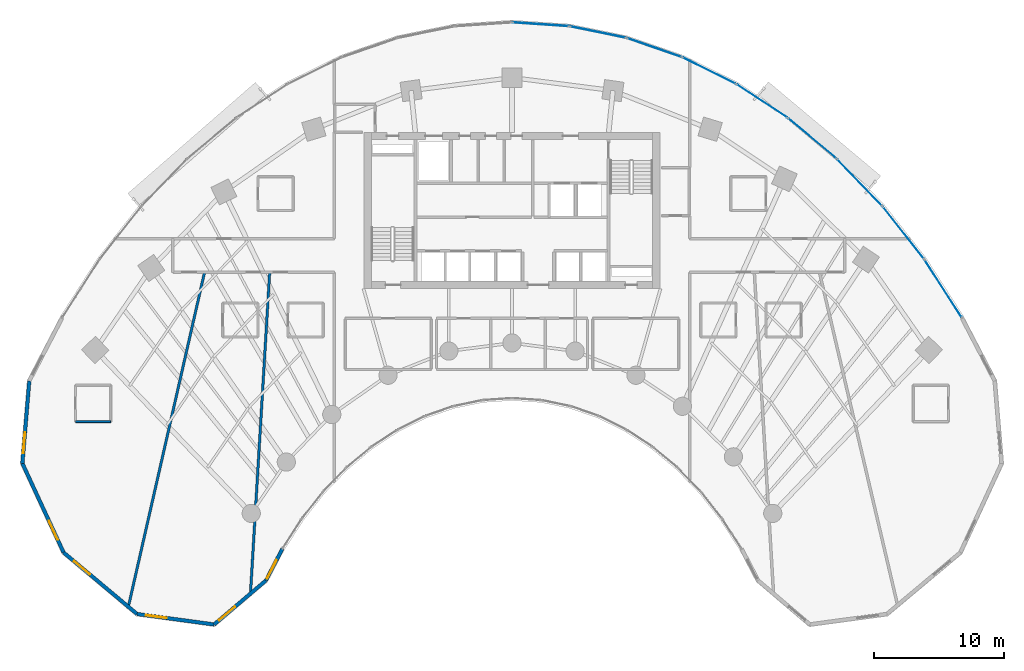
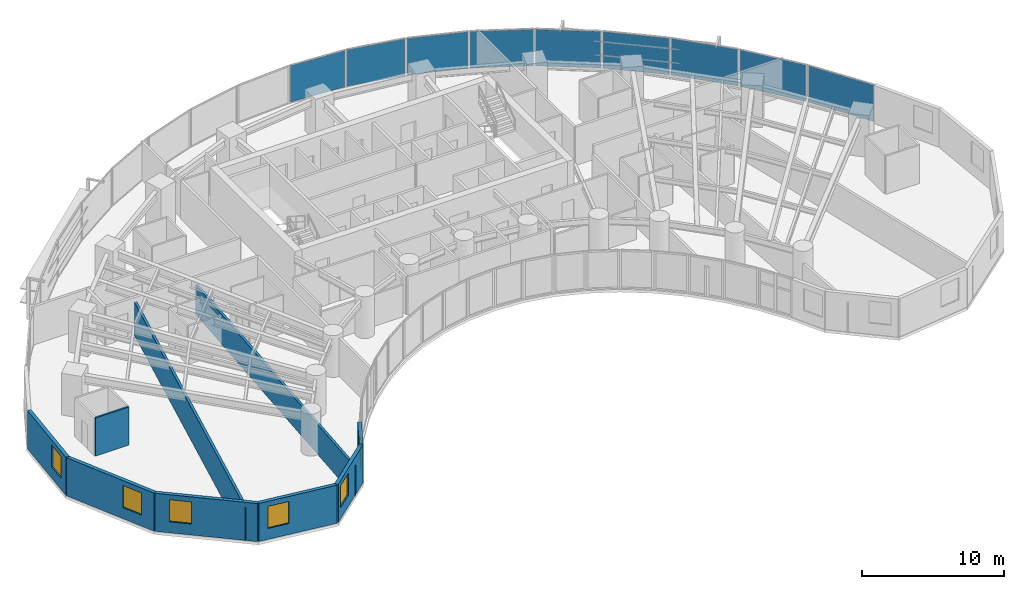
# One storey, part 10 of 17: 9 plates, 9 walls, 6 windows, 6 openings, 9 elements without a shape of their own.
"""IFC4 building model written with IfcOpenShell, lengths in metres."""

from ifc_helpers import new_model, si_unit, direction, frame, frame_2d, origin, origin_2d, place, context, subcontext, project, spatial, rectangle, extrude, source, transform, mapped, material, layer, layer_set, type_object, type_shapes, element, fill, aggregate, save


model = new_model("IFC4")

# Units and contexts
model_context = context("Model", 3, precision=1e-05, world=origin(), true_north=direction((0.0, 1.0)))
body_context = subcontext(model_context, "Body", "Model", "MODEL_VIEW")
ifc_project = project(units=[si_unit("LENGTHUNIT", "METRE"), si_unit("AREAUNIT", "SQUARE_METRE"), si_unit("VOLUMEUNIT", "CUBIC_METRE"), si_unit("PLANEANGLEUNIT", "RADIAN"), si_unit("MASSUNIT", "GRAM", prefix="KILO")], contexts=[model_context])

# Site, building, storey
site_placement = place(None, origin())
site = spatial("IfcSite", under=ifc_project, at=site_placement, CompositionType="ELEMENT")
building_placement = place(site_placement, origin())
building = spatial("IfcBuilding", under=site, at=building_placement, Name="Breltana Convention Tower", CompositionType="ELEMENT")
storey_placement = place(building_placement, frame((0.0, 0.0, 82.199951171875)))
storey = spatial("IfcBuildingStorey", under=building, at=storey_placement, Name="L19", CompositionType="ELEMENT", Elevation=82.199951171875)

# Curtain wall, plate
ifc_material_1 = material(Name="Aluminium Anodised Bronze Frame", Category="aluminium")
ifc_layer_1 = layer(ifc_material_1, 0.199951171875, Name="Aluminium Anodised Bronze Frame")
ifc_layer_set_1 = layer_set([ifc_layer_1], Name="Aluminium Anodised Bronze Frame")
curtain_wall_type = type_object("IfcCurtainWallType", Name="CW-SYS-2", PredefinedType="NOTDEFINED", material=ifc_layer_set_1)
curtain_wall_1_placement = place(storey_placement, origin())
curtain_wall_1 = element("IfcCurtainWall", 1, at=curtain_wall_1_placement, inside=storey, type_object=curtain_wall_type, Name="L19 outer double-skin inner glazing 17", PredefinedType="NOTDEFINED")
ifc_material_2 = material(Name="Glass Low-E Double Glazing", Category="glass")
ifc_layer_2 = layer(ifc_material_2, 0.031982421875, Name="Glass Low-E Double Glazing")
ifc_layer_set_2 = layer_set([ifc_layer_2], Name="Glass Low-E Double Glazing")
plate_type = type_object("IfcPlateType", Name="CWP-IGU-32", PredefinedType="CURTAIN_PANEL", material=ifc_layer_set_2)
shared_shape_1 = source(origin(), body_context, "Body", "SweptSolid", [
    extrude(rectangle(XDim=5.0546875, YDim=0.031982421875, at=origin_2d()), origin(), (0.0, 0.0, 1.0), 3.139892578125),
])
plate_1_placement = place(storey_placement, frame((78.038818359375, 64.504638671875, 0.0703125), z_axis=(0.0, 0.0, 1.0), x_axis=(0.618153917633, -0.786057080698, 0.0)))
plate_1 = element("IfcPlate", 2, at=plate_1_placement, type_object=plate_type, Name="CW-02 panel 1.1", PredefinedType="CURTAIN_PANEL", context=body_context, shape_type="MappedRepresentation", body=[
    mapped(shared_shape_1, transform((0.0, 0.0, 0.0), scale=1.0)),
])
aggregate(curtain_wall_1, [plate_1])

curtain_wall_2_placement = place(storey_placement, origin())
curtain_wall_2 = element("IfcCurtainWall", 3, at=curtain_wall_2_placement, inside=storey, type_object=curtain_wall_type, Name="L19 outer double-skin inner glazing 16", PredefinedType="NOTDEFINED")
shared_shape_2 = source(origin(), body_context, "Body", "SweptSolid", [
    extrude(rectangle(XDim=4.901123046875, YDim=0.031982421875, at=origin_2d()), origin(), (0.0, 0.0, 1.0), 3.139892578125),
])
plate_2_placement = place(storey_placement, frame((74.682373046875, 68.359619140625, 0.0703125), z_axis=(0.0, 0.0, 1.0), x_axis=(0.694610090106, -0.719386421003, 0.0)))
plate_2 = element("IfcPlate", 4, at=plate_2_placement, type_object=plate_type, Name="CW-02 panel 1.1", PredefinedType="CURTAIN_PANEL", context=body_context, shape_type="MappedRepresentation", body=[
    mapped(shared_shape_2, transform((0.0, 0.0, 0.0), scale=1.0)),
])
aggregate(curtain_wall_2, [plate_2])

curtain_wall_3_placement = place(storey_placement, origin())
curtain_wall_3 = element("IfcCurtainWall", 5, at=curtain_wall_3_placement, inside=storey, type_object=curtain_wall_type, Name="L19 outer double-skin inner glazing 15", PredefinedType="NOTDEFINED")
shared_shape_3 = source(origin(), body_context, "Body", "SweptSolid", [
    extrude(rectangle(XDim=4.7509765625, YDim=0.031982421875, at=origin_2d()), origin(), (0.0, 0.0, 1.0), 3.139892578125),
])
plate_3_placement = place(storey_placement, frame((71.0537109375, 71.7392578125, 0.0703125), z_axis=(0.0, 0.0, 1.0), x_axis=(0.767941326958, -0.640520193554, 0.0)))
plate_3 = element("IfcPlate", 6, at=plate_3_placement, type_object=plate_type, Name="CW-02 panel 1.1", PredefinedType="CURTAIN_PANEL", context=body_context, shape_type="MappedRepresentation", body=[
    mapped(shared_shape_3, transform((0.0, 0.0, 0.0), scale=1.0)),
])
aggregate(curtain_wall_3, [plate_3])

curtain_wall_4_placement = place(storey_placement, origin())
curtain_wall_4 = element("IfcCurtainWall", 7, at=curtain_wall_4_placement, inside=storey, type_object=curtain_wall_type, Name="L19 outer double-skin inner glazing 14", PredefinedType="NOTDEFINED")
shared_shape_4 = source(origin(), body_context, "Body", "SweptSolid", [
    extrude(rectangle(XDim=4.610595703125, YDim=0.031982421875, at=origin_2d()), origin(), (0.0, 0.0, 1.0), 3.139892578125),
])
plate_4_placement = place(storey_placement, frame((67.18994140625, 74.609130859375, 0.0703125), z_axis=(0.0, 0.0, 1.0), x_axis=(0.83596401875, -0.548784255746, 0.0)))
plate_4 = element("IfcPlate", 8, at=plate_4_placement, type_object=plate_type, Name="CW-02 panel 1.1", PredefinedType="CURTAIN_PANEL", context=body_context, shape_type="MappedRepresentation", body=[
    mapped(shared_shape_4, transform((0.0, 0.0, 0.0), scale=1.0)),
])
aggregate(curtain_wall_4, [plate_4])

curtain_wall_5_placement = place(storey_placement, origin())
curtain_wall_5 = element("IfcCurtainWall", 9, at=curtain_wall_5_placement, inside=storey, type_object=curtain_wall_type, Name="L19 outer double-skin inner glazing 13", PredefinedType="NOTDEFINED")
shared_shape_5 = source(origin(), body_context, "Body", "SweptSolid", [
    extrude(rectangle(XDim=4.487548828125, YDim=0.031982421875, at=origin_2d()), origin(), (0.0, 0.0, 1.0), 3.139892578125),
])
plate_5_placement = place(storey_placement, frame((63.13134765625, 76.940185546875, 0.0703125), z_axis=(0.0, 0.0, 1.0), x_axis=(0.895973407804, -0.444107703726, 0.0)))
plate_5 = element("IfcPlate", 10, at=plate_5_placement, type_object=plate_type, Name="CW-02 panel 1.1", PredefinedType="CURTAIN_PANEL", context=body_context, shape_type="MappedRepresentation", body=[
    mapped(shared_shape_5, transform((0.0, 0.0, 0.0), scale=1.0)),
])
aggregate(curtain_wall_5, [plate_5])

curtain_wall_6_placement = place(storey_placement, origin())
curtain_wall_6 = element("IfcCurtainWall", 11, at=curtain_wall_6_placement, inside=storey, type_object=curtain_wall_type, Name="L19 outer double-skin inner glazing 12", PredefinedType="NOTDEFINED")
shared_shape_6 = source(origin(), body_context, "Body", "SweptSolid", [
    extrude(rectangle(XDim=4.388427734375, YDim=0.031982421875, at=origin_2d()), origin(), (0.0, 0.0, 1.0), 3.139892578125),
])
plate_6_placement = place(storey_placement, frame((58.9189453125, 78.709228515625, 0.0703125), z_axis=(0.0, 0.0, 1.0), x_axis=(0.944876012163, -0.32742834581, 0.0)))
plate_6 = element("IfcPlate", 12, at=plate_6_placement, type_object=plate_type, Name="CW-02 panel 1.1", PredefinedType="CURTAIN_PANEL", context=body_context, shape_type="MappedRepresentation", body=[
    mapped(shared_shape_6, transform((0.0, 0.0, 0.0), scale=1.0)),
])
aggregate(curtain_wall_6, [plate_6])

curtain_wall_7_placement = place(storey_placement, origin())
curtain_wall_7 = element("IfcCurtainWall", 13, at=curtain_wall_7_placement, inside=storey, type_object=curtain_wall_type, Name="L19 outer double-skin inner glazing 11", PredefinedType="NOTDEFINED")
shared_shape_7 = source(origin(), body_context, "Body", "SweptSolid", [
    extrude(rectangle(XDim=4.318359375, YDim=0.031982421875, at=origin_2d()), origin(), (0.0, 0.0, 1.0), 3.139892578125),
])
plate_7_placement = place(storey_placement, frame((54.595703125, 79.898193359375, 0.0703125), z_axis=(0.0, 0.0, 1.0), x_axis=(0.979614925743, -0.200884537139, 0.0)))
plate_7 = element("IfcPlate", 14, at=plate_7_placement, type_object=plate_type, Name="CW-02 panel 1.1", PredefinedType="CURTAIN_PANEL", context=body_context, shape_type="MappedRepresentation", body=[
    mapped(shared_shape_7, transform((0.0, 0.0, 0.0), scale=1.0)),
])
aggregate(curtain_wall_7, [plate_7])

curtain_wall_8_placement = place(storey_placement, origin())
curtain_wall_8 = element("IfcCurtainWall", 15, at=curtain_wall_8_placement, inside=storey, type_object=curtain_wall_type, Name="L19 outer double-skin inner glazing 10", PredefinedType="NOTDEFINED")
shared_shape_8 = source(origin(), body_context, "Body", "SweptSolid", [
    extrude(rectangle(XDim=4.2822265625, YDim=0.031982421875, at=origin_2d()), origin(), (0.0, 0.0, 1.0), 3.139892578125),
])
plate_8_placement = place(storey_placement, frame((50.2060546875, 80.495849609375, 0.0703125), z_axis=(0.0, 0.0, 1.0), x_axis=(0.997703982282, -0.067725650529, 0.0)))
plate_8 = element("IfcPlate", 16, at=plate_8_placement, type_object=plate_type, Name="CW-02 panel 1.1", PredefinedType="CURTAIN_PANEL", context=body_context, shape_type="MappedRepresentation", body=[
    mapped(shared_shape_8, transform((0.0, 0.0, 0.0), scale=1.0)),
])
aggregate(curtain_wall_8, [plate_8])

curtain_wall_9_placement = place(storey_placement, origin())
curtain_wall_9 = element("IfcCurtainWall", 17, at=curtain_wall_9_placement, inside=storey, type_object=curtain_wall_type, Name="L19 outer double-skin inner glazing 18", PredefinedType="NOTDEFINED")
shared_shape_9 = source(origin(), body_context, "Body", "SweptSolid", [
    extrude(rectangle(XDim=5.20556640625, YDim=0.031982421875, at=origin_2d()), origin(), (0.0, 0.0, 1.0), 3.139892578125),
])
plate_9_placement = place(storey_placement, frame((81.088134765625, 60.2138671875, 0.0703125), z_axis=(0.0, 0.0, 1.0), x_axis=(0.540180724109, -0.841549039154, 0.0)))
plate_9 = element("IfcPlate", 18, at=plate_9_placement, type_object=plate_type, Name="CW-02 panel 1.1", PredefinedType="CURTAIN_PANEL", context=body_context, shape_type="MappedRepresentation", body=[
    mapped(shared_shape_9, transform((0.0, 0.0, 0.0), scale=1.0)),
])
aggregate(curtain_wall_9, [plate_9])

# Wall, opening, window
ifc_material_3 = material(Name="Limestone Buff Insulated Wall", Category="masonry")
ifc_layer_3 = layer(ifc_material_3, 0.280029296875, Name="Limestone Buff Insulated Wall")
ifc_layer_set_3 = layer_set([ifc_layer_3], Name="Limestone Buff Insulated Wall")
wall_type_1 = type_object("IfcWallType", Name="WL-EXT-NOSE-280", PredefinedType="SOLIDWALL", material=ifc_layer_set_3)
shared_shape_10 = source(origin(), body_context, "Body", "SweptSolid", [
    extrude(rectangle(XDim=6.3525390625, YDim=0.280029296875, at=frame_2d((3.17626953125, 0.0))), origin(), (0.0, 0.0, 1.0), 3.280029296875),
])
wall_1_placement = place(storey_placement, frame((10.417724609375, 46.79150390625, 0.0), z_axis=(0.0, 0.0, 1.0), x_axis=(0.083319001377, 0.996522926986, 0.0)))
wall_1 = element("IfcWall", 19, at=wall_1_placement, inside=storey, type_object=wall_type_1, Name="L19 curved limestone nose wall W6", PredefinedType="SOLIDWALL", context=body_context, shape_type="MappedRepresentation", body=[
    mapped(shared_shape_10, transform((0.0, 0.0, 0.0), scale=1.0)),
])
opening_1_placement = place(wall_1_placement, frame((0.7880859375, 0.0, 0.949951171875)))
opening_1 = element("IfcOpeningElement", 20, at=opening_1_placement, cuts=wall_1, Name="Opening W-04", PredefinedType="OPENING", context=body_context, shape_type="SweptSolid", body=[
    extrude(rectangle(XDim=1.60009765625, YDim=1.89990234375, at=frame_2d((0.800048828125, 0.949951171875))), frame((0.0, 0.14990234375, 0.0), z_axis=(0.0, -1.0, 0.0), x_axis=(1.0, 0.0, 0.0)), (0.0, 0.0, 1.0), 0.300048828125),
])
ifc_material_4 = material(Name="Glass Low-E Insulated Window", Category="glass")
window_type = type_object("IfcWindowType", Name="WN-NOSE-1600X1900", PartitioningType="SINGLE_PANEL", PredefinedType="WINDOW", material=ifc_material_4)
shared_shape_11 = source(origin(), body_context, "Body", "SweptSolid", [
    extrude(rectangle(XDim=1.60009765625, YDim=1.89990234375, at=frame_2d((0.800048828125, 0.949951171875))), frame((0.0, 0.030029296875, 0.0), z_axis=(0.0, -1.0, 0.0), x_axis=(1.0, 0.0, 0.0)), (0.0, 0.0, 1.0), 0.06005859375),
])
type_shapes(window_type, [shared_shape_11])
window_1_placement = place(opening_1_placement, origin())
window_1 = element("IfcWindow", 21, at=window_1_placement, inside=storey, type_object=window_type, Name="L19 nose window W6", OverallHeight=1.89990234375, OverallWidth=1.60009765625, PartitioningType="SINGLE_PANEL", PredefinedType="WINDOW", context=body_context, shape_type="MappedRepresentation", body=[
    mapped(shared_shape_11, transform((0.0, 0.0, 0.0), scale=1.0)),
])
fill(opening_1, window_1)

shared_shape_12 = source(origin(), body_context, "Body", "SweptSolid", [
    extrude(rectangle(XDim=7.536376953125, YDim=0.280029296875, at=frame_2d((3.76806640625, 0.0))), origin(), (0.0, 0.0, 1.0), 3.280029296875),
])
wall_2_placement = place(storey_placement, frame((13.580322265625, 39.950927734375, 0.0), z_axis=(0.0, 0.0, 1.0), x_axis=(-0.41964973873, 0.907686122393, 0.0)))
wall_2 = element("IfcWall", 22, at=wall_2_placement, inside=storey, type_object=wall_type_1, Name="L19 curved limestone nose wall W5", PredefinedType="SOLIDWALL", context=body_context, shape_type="MappedRepresentation", body=[
    mapped(shared_shape_12, transform((0.0, 0.0, 0.0), scale=1.0)),
])
opening_2_placement = place(wall_2_placement, frame((1.083984375, 0.0, 0.949951171875)))
opening_2 = element("IfcOpeningElement", 23, at=opening_2_placement, cuts=wall_2, Name="Opening W-04", PredefinedType="OPENING", context=body_context, shape_type="SweptSolid", body=[
    extrude(rectangle(XDim=1.60009765625, YDim=1.89990234375, at=frame_2d((0.800048828125, 0.949951171875))), frame((0.0, 0.14990234375, 0.0), z_axis=(0.0, -1.0, 0.0), x_axis=(1.0, 0.0, 0.0)), (0.0, 0.0, 1.0), 0.300048828125),
])
window_2_placement = place(opening_2_placement, origin())
window_2 = element("IfcWindow", 24, at=window_2_placement, inside=storey, type_object=window_type, Name="L19 nose window W5", OverallHeight=1.89990234375, OverallWidth=1.60009765625, PartitioningType="SINGLE_PANEL", PredefinedType="WINDOW", context=body_context, shape_type="MappedRepresentation", body=[
    mapped(shared_shape_11, transform((0.0, 0.0, 0.0), scale=1.0)),
])
fill(opening_2, window_2)

shared_shape_13 = source(origin(), body_context, "Body", "SweptSolid", [
    extrude(rectangle(XDim=7.35888671875, YDim=0.280029296875, at=frame_2d((3.679443359375, 0.0))), origin(), (0.0, 0.0, 1.0), 3.280029296875),
])
wall_3_placement = place(storey_placement, frame((19.22265625, 35.226806640625, 0.0), z_axis=(0.0, 0.0, 1.0), x_axis=(-0.766737165543, 0.641961150675, 0.0)))
wall_3 = element("IfcWall", 25, at=wall_3_placement, inside=storey, type_object=wall_type_1, Name="L19 curved limestone nose wall W4", PredefinedType="SOLIDWALL", context=body_context, shape_type="MappedRepresentation", body=[
    mapped(shared_shape_13, transform((0.0, 0.0, 0.0), scale=1.0)),
])
opening_3_placement = place(wall_3_placement, frame((4.71923828125, 0.0, 0.949951171875)))
opening_3 = element("IfcOpeningElement", 26, at=opening_3_placement, cuts=wall_3, Name="Opening W-04", PredefinedType="OPENING", context=body_context, shape_type="SweptSolid", body=[
    extrude(rectangle(XDim=1.60009765625, YDim=1.89990234375, at=frame_2d((0.800048828125, 0.949951171875))), frame((0.0, 0.14990234375, 0.0), z_axis=(0.0, -1.0, 0.0), x_axis=(1.0, 0.0, 0.0)), (0.0, 0.0, 1.0), 0.300048828125),
])
window_3_placement = place(opening_3_placement, origin())
window_3 = element("IfcWindow", 27, at=window_3_placement, inside=storey, type_object=window_type, Name="L19 nose window W4", OverallHeight=1.89990234375, OverallWidth=1.60009765625, PartitioningType="SINGLE_PANEL", PredefinedType="WINDOW", context=body_context, shape_type="MappedRepresentation", body=[
    mapped(shared_shape_11, transform((0.0, 0.0, 0.0), scale=1.0)),
])
fill(opening_3, window_3)

shared_shape_14 = source(origin(), body_context, "Body", "SweptSolid", [
    extrude(rectangle(XDim=5.96728515625, YDim=0.280029296875, at=frame_2d((2.983642578125, 0.0))), origin(), (0.0, 0.0, 1.0), 3.280029296875),
])
wall_4_placement = place(storey_placement, frame((25.1357421875, 34.4248046875, 0.0), z_axis=(0.0, 0.0, 1.0), x_axis=(-0.990927009341, 0.134401124099, 0.0)))
wall_4 = element("IfcWall", 28, at=wall_4_placement, inside=storey, type_object=wall_type_1, Name="L19 curved limestone nose wall W3", PredefinedType="SOLIDWALL", context=body_context, shape_type="MappedRepresentation", body=[
    mapped(shared_shape_14, transform((0.0, 0.0, 0.0), scale=1.0)),
])
opening_4_placement = place(wall_4_placement, frame((3.675537109375, 0.0, 0.949951171875)))
opening_4 = element("IfcOpeningElement", 29, at=opening_4_placement, cuts=wall_4, Name="Opening W-04", PredefinedType="OPENING", context=body_context, shape_type="SweptSolid", body=[
    extrude(rectangle(XDim=1.60009765625, YDim=1.89990234375, at=frame_2d((0.800048828125, 0.949951171875))), frame((0.0, 0.14990234375, 0.0), z_axis=(0.0, -1.0, 0.0), x_axis=(1.0, 0.0, 0.0)), (0.0, 0.0, 1.0), 0.300048828125),
])
window_4_placement = place(opening_4_placement, origin())
window_4 = element("IfcWindow", 30, at=window_4_placement, inside=storey, type_object=window_type, Name="L19 nose window W3", OverallHeight=1.89990234375, OverallWidth=1.60009765625, PartitioningType="SINGLE_PANEL", PredefinedType="WINDOW", context=body_context, shape_type="MappedRepresentation", body=[
    mapped(shared_shape_11, transform((0.0, 0.0, 0.0), scale=1.0)),
])
fill(opening_4, window_4)

shared_shape_15 = source(origin(), body_context, "Body", "SweptSolid", [
    extrude(rectangle(XDim=5.222412109375, YDim=0.280029296875, at=frame_2d((2.611328125, 0.0))), origin(), (0.0, 0.0, 1.0), 3.280029296875),
])
wall_5_placement = place(storey_placement, frame((29.11474609375, 37.807373046875, 0.0), z_axis=(0.0, 0.0, 1.0), x_axis=(-0.761900099546, -0.647694556339, 0.0)))
wall_5 = element("IfcWall", 31, at=wall_5_placement, inside=storey, type_object=wall_type_1, Name="L19 curved limestone nose wall W2", PredefinedType="SOLIDWALL", context=body_context, shape_type="MappedRepresentation", body=[
    mapped(shared_shape_15, transform((0.0, 0.0, 0.0), scale=1.0)),
])
opening_5_placement = place(wall_5_placement, frame((3.11669921875, 0.0, 0.949951171875)))
opening_5 = element("IfcOpeningElement", 32, at=opening_5_placement, cuts=wall_5, Name="Opening W-04", PredefinedType="OPENING", context=body_context, shape_type="SweptSolid", body=[
    extrude(rectangle(XDim=1.60009765625, YDim=1.89990234375, at=frame_2d((0.800048828125, 0.949951171875))), frame((0.0, 0.14990234375, 0.0), z_axis=(0.0, -1.0, 0.0), x_axis=(1.0, 0.0, 0.0)), (0.0, 0.0, 1.0), 0.300048828125),
])
window_5_placement = place(opening_5_placement, origin())
window_5 = element("IfcWindow", 33, at=window_5_placement, inside=storey, type_object=window_type, Name="L19 nose window W2", OverallHeight=1.89990234375, OverallWidth=1.60009765625, PartitioningType="SINGLE_PANEL", PredefinedType="WINDOW", context=body_context, shape_type="MappedRepresentation", body=[
    mapped(shared_shape_11, transform((0.0, 0.0, 0.0), scale=1.0)),
])
fill(opening_5, window_5)

shared_shape_16 = source(origin(), body_context, "Body", "SweptSolid", [
    extrude(rectangle(XDim=2.7353515625, YDim=0.280029296875, at=frame_2d((1.36767578125, 0.0))), origin(), (0.0, 0.0, 1.0), 3.280029296875),
])
wall_6_placement = place(storey_placement, frame((30.3779296875, 40.233642578125, 0.0), z_axis=(0.0, 0.0, 1.0), x_axis=(-0.46179107292, -0.886988728774, 0.0)))
wall_6 = element("IfcWall", 34, at=wall_6_placement, inside=storey, type_object=wall_type_1, Name="L19 curved limestone nose wall W1", PredefinedType="SOLIDWALL", context=body_context, shape_type="MappedRepresentation", body=[
    mapped(shared_shape_16, transform((0.0, 0.0, 0.0), scale=1.0)),
])
opening_6_placement = place(wall_6_placement, frame((0.9755859375, 0.0, 0.949951171875)))
opening_6 = element("IfcOpeningElement", 35, at=opening_6_placement, cuts=wall_6, Name="Opening W-04", PredefinedType="OPENING", context=body_context, shape_type="SweptSolid", body=[
    extrude(rectangle(XDim=1.60009765625, YDim=1.89990234375, at=frame_2d((0.800048828125, 0.949951171875))), frame((0.0, 0.14990234375, 0.0), z_axis=(0.0, -1.0, 0.0), x_axis=(1.0, 0.0, 0.0)), (0.0, 0.0, 1.0), 0.300048828125),
])
window_6_placement = place(opening_6_placement, origin())
window_6 = element("IfcWindow", 36, at=window_6_placement, inside=storey, type_object=window_type, Name="L19 nose window W1", OverallHeight=1.89990234375, OverallWidth=1.60009765625, PartitioningType="SINGLE_PANEL", PredefinedType="WINDOW", context=body_context, shape_type="MappedRepresentation", body=[
    mapped(shared_shape_11, transform((0.0, 0.0, 0.0), scale=1.0)),
])
fill(opening_6, window_6)

# Walls
ifc_material_5 = material(Name="Gypsum Acoustic Hotel Wall")
ifc_layer_4 = layer(ifc_material_5, 0.195068359375, Name="Gypsum Acoustic Hotel Wall")
ifc_layer_set_4 = layer_set([ifc_layer_4], Name="Gypsum Acoustic Hotel Wall")
wall_type_2 = type_object("IfcWallType", Name="WL-HOTEL-200", PredefinedType="PARTITIONING", material=ifc_layer_set_4)
shared_shape_17 = source(origin(), body_context, "Body", "SweptSolid", [
    extrude(rectangle(XDim=26.4755859375, YDim=0.195068359375, at=frame_2d((13.23779296875, 0.0))), origin(), (0.0, 0.0, 1.0), 2.84716796875),
])
wall_7_placement = place(storey_placement, frame((18.51953125, 35.645751953125, 0.0), z_axis=(0.0, 0.0, 1.0), x_axis=(0.22210613157, 0.975022495289, 0.0)))
element("IfcWall", 37, at=wall_7_placement, inside=storey, type_object=wall_type_2, Name="L19 interior partition W-L19-PHWS-M1", PredefinedType="PARTITIONING", context=body_context, shape_type="MappedRepresentation", body=[
    mapped(shared_shape_17, transform((0.0, 0.0, 0.0), scale=1.0)),
])
shared_shape_18 = source(origin(), body_context, "Body", "SweptSolid", [
    extrude(rectangle(XDim=24.888671875, YDim=0.195068359375, at=frame_2d((12.4443359375, 0.0))), origin(), (0.0, 0.0, 1.0), 2.56396484375),
])
wall_8_placement = place(storey_placement, frame((27.913818359375, 36.61572265625, 0.0), z_axis=(0.0, 0.0, 1.0), x_axis=(0.059709317989, 0.998215807, 0.0)))
element("IfcWall", 38, at=wall_8_placement, inside=storey, type_object=wall_type_2, Name="L19 interior partition W-L19-PHWS-M2", PredefinedType="PARTITIONING", context=body_context, shape_type="MappedRepresentation", body=[
    mapped(shared_shape_18, transform((0.0, 0.0, 0.0), scale=1.0)),
])
ifc_material_6 = material(Name="Moisture-Resistant En-Suite Partition")
ifc_layer_5 = layer(ifc_material_6, 0.139892578125, Name="Moisture-Resistant En-Suite Partition")
ifc_layer_set_5 = layer_set([ifc_layer_5], Name="Moisture-Resistant En-Suite Partition")
wall_type_3 = type_object("IfcWallType", Name="WL-WET-150", PredefinedType="PARTITIONING", material=ifc_layer_set_5)
shared_shape_19 = source(origin(), body_context, "Body", "SweptSolid", [
    extrude(rectangle(XDim=2.699951171875, YDim=0.139892578125, at=frame_2d((1.35009765625, 0.0))), origin(), (0.0, 0.0, 1.0), 3.280029296875),
])
wall_9_placement = place(storey_placement, frame((14.5, 50.0, 0.0), z_axis=(0.0, 0.0, 1.0), x_axis=(1.0, 0.0, 0.0)))
element("IfcWall", 39, at=wall_9_placement, inside=storey, type_object=wall_type_3, Name="L19 interior partition W-L19-PHWS1E-S", PredefinedType="PARTITIONING", context=body_context, shape_type="MappedRepresentation", body=[
    mapped(shared_shape_19, transform((0.0, 0.0, 0.0), scale=1.0)),
])

save(model, "model.ifc")
